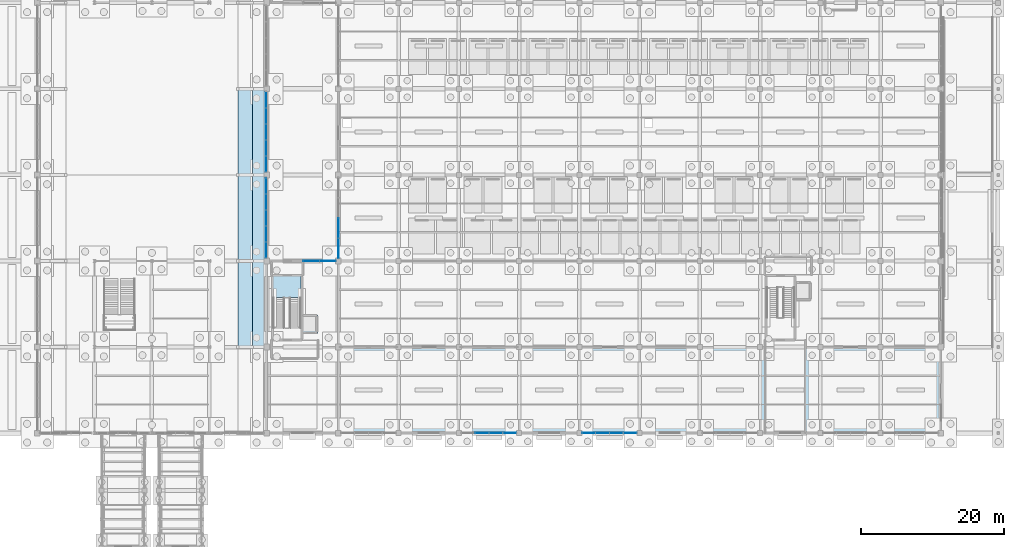
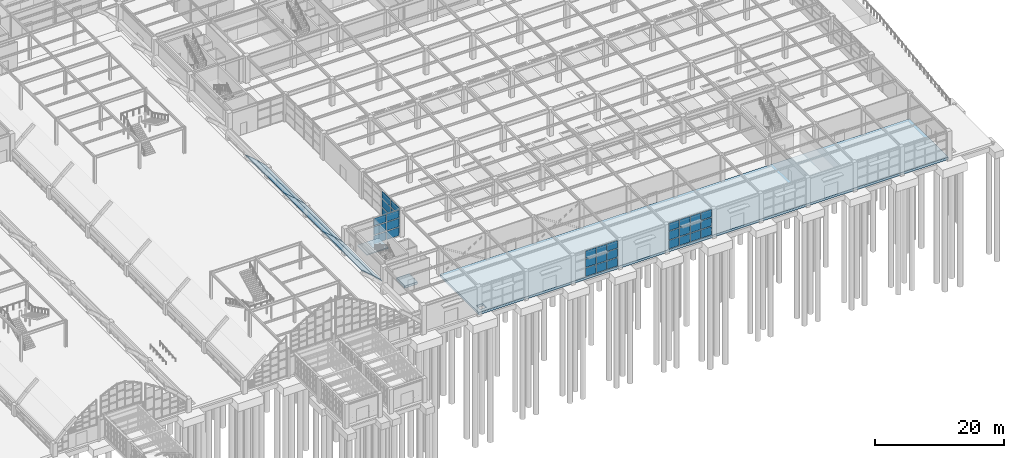
# One storey, part 86 of 129: 52 plates, 9 slabs, 7 elements without a shape of their own.
"""IFC4 building model written with IfcOpenShell, lengths in metres."""

import ifcopenshell
import ifcopenshell.guid

model = None  # the IFC model being written
_history = None  # IfcOwnerHistory: only IFC2X3 demands one
_inside = {}  # id of a spatial element -> (the spatial element, [elements in it])
_under = {}  # id of a project, library or spatial element -> (it, [spatial elements below it])
_declared = {}  # id of a project -> (the project, [libraries it declares])
_typed = {}  # id of a type object -> (the type object, [elements of that type])
_made_of = {}  # id of a material, layer set ... -> (it, [elements and type objects made of it])


def new_model(schema):
    """Start an empty IFC model of exactly this schema.

    Asked for "IFC4X3", IfcOpenShell would pick the latest addendum, in which some entities
    have other attributes; the version numbers below select the first issue.
    IFC2X3 requires an IfcOwnerHistory on every rooted entity: one is made here for all.
    """
    global model, _history
    if schema == "IFC4X3":
        model = ifcopenshell.file(schema_version=(4, 3, 0, 0))
    else:
        model = ifcopenshell.file(schema=schema)
    _inside.clear()
    _under.clear()
    _declared.clear()
    _typed.clear()
    _made_of.clear()
    _history = None
    if model.schema == "IFC2X3":
        org = make("IfcOrganization", Name="unknown")
        user = make(
            "IfcPersonAndOrganization",
            ThePerson=make("IfcPerson", FamilyName="unknown"),
            TheOrganization=org,
        )
        app = make(
            "IfcApplication",
            ApplicationDeveloper=org,
            Version="unknown",
            ApplicationFullName="unknown",
            ApplicationIdentifier="unknown",
        )
        _history = make(
            "IfcOwnerHistory",
            OwningUser=user,
            OwningApplication=app,
            ChangeAction="ADDED",
            CreationDate=0,
        )
    return model


def make(cls, **values):
    """One entity of the class cls with the attributes given. An attribute that is None is left unset."""
    return model.create_entity(
        cls, **{name: value for name, value in values.items() if value is not None}
    )


def rooted(cls, **values):
    """An entity with a GlobalId (a new one), such as an element, a storey or a relation."""
    return make(cls, GlobalId=ifcopenshell.guid.new(), OwnerHistory=_history, **values)


def si_unit(unit_type, name, prefix=None):
    """IfcSIUnit, for example si_unit("LENGTHUNIT", "METRE", prefix="MILLI")."""
    return make("IfcSIUnit", UnitType=unit_type, Prefix=prefix, Name=name)


def assignment(units):
    """IfcUnitAssignment: the units of a project."""
    return None if units is None else make("IfcUnitAssignment", Units=units)


def point(xyz):
    """IfcCartesianPoint."""
    return None if xyz is None else make("IfcCartesianPoint", Coordinates=xyz)


def direction(xyz):
    """IfcDirection."""
    return None if xyz is None else make("IfcDirection", DirectionRatios=xyz)


def frame(location, z_axis=None, x_axis=None):
    """IfcAxis2Placement3D, a coordinate frame: its origin and axes. An axis left out is left unset."""
    return make(
        "IfcAxis2Placement3D",
        Location=point(location),
        Axis=direction(z_axis),
        RefDirection=direction(x_axis),
    )


def frame_2d(location, x_axis=None):
    """IfcAxis2Placement2D, a coordinate frame in the plane: its origin and x axis."""
    return make(
        "IfcAxis2Placement2D", Location=point(location), RefDirection=direction(x_axis)
    )


def origin():
    """The frame at (0, 0, 0) with its axes left unset."""
    return frame((0.0, 0.0, 0.0))


def origin_2d():
    """The frame at (0, 0) in the plane with its x axis left unset."""
    return frame_2d((0.0, 0.0))


def place(relative_to, where):
    """IfcLocalPlacement: puts the frame where relative to a parent placement (None: the world)."""
    return make(
        "IfcLocalPlacement", PlacementRelTo=relative_to, RelativePlacement=where
    )


def context(
    kind, dimensions, precision=None, world=None, true_north=None, identifier=None
):
    """IfcGeometricRepresentationContext, for example the 3D "Model" context."""
    return make(
        "IfcGeometricRepresentationContext",
        ContextIdentifier=identifier,
        ContextType=kind,
        CoordinateSpaceDimension=dimensions,
        Precision=precision,
        WorldCoordinateSystem=world,
        TrueNorth=true_north,
    )


def subcontext(parent, identifier, kind, view, scale=None):
    """IfcGeometricRepresentationSubContext, for example "Body" below "Model"."""
    return make(
        "IfcGeometricRepresentationSubContext",
        ContextIdentifier=identifier,
        ContextType=kind,
        ParentContext=parent,
        TargetScale=scale,
        TargetView=view,
    )


def project(units=None, contexts=None):
    """IfcProject with its units and contexts."""
    return rooted(
        "IfcProject",
        Name="project",
        RepresentationContexts=contexts,
        UnitsInContext=assignment(units),
    )


def spatial(cls, under=None, at=None, **own):
    """A site, building, storey or space (cls), placed at a placement, below another one or the project."""
    s = rooted(cls, ObjectPlacement=at, **own)
    if under is not None:
        _under.setdefault(under.id(), (under, []))[1].append(s)
    return s


def polyline(points):
    """IfcPolyline through the points."""
    return make("IfcPolyline", Points=[point(p) for p in points])


def profile(cls, at=None, kind="AREA", **sizes):
    """A parametric profile (cls). Its sizes go by their IFC names, for example OverallWidth=200.0."""
    return make(cls, ProfileType=kind, Position=at, **sizes)


def rectangle(**sizes):
    """IfcRectangleProfileDef."""
    return profile("IfcRectangleProfileDef", **sizes)


def outline(outer, holes=None, kind="AREA"):
    """IfcArbitraryClosedProfileDef: a profile drawn as a closed curve; with holes, ...WithVoids."""
    if holes is None:
        return make("IfcArbitraryClosedProfileDef", ProfileType=kind, OuterCurve=outer)
    return make(
        "IfcArbitraryProfileDefWithVoids",
        ProfileType=kind,
        OuterCurve=outer,
        InnerCurves=holes,
    )


def extrude(swept, where, along, depth):
    """IfcExtrudedAreaSolid: the profile swept, set in the frame where, extruded along a direction by depth."""
    return make(
        "IfcExtrudedAreaSolid",
        SweptArea=swept,
        Position=where,
        ExtrudedDirection=direction(along),
        Depth=depth,
    )


def shape(context_of_items, identifier, shape_type, items):
    """IfcShapeRepresentation: the items that make up one representation, for example the "Body"."""
    return make(
        "IfcShapeRepresentation",
        ContextOfItems=context_of_items,
        RepresentationIdentifier=identifier,
        RepresentationType=shape_type,
        Items=items,
    )


def material(Name=None, Category=None):
    """IfcMaterial."""
    return make("IfcMaterial", Name=Name, Category=Category)


def layer(
    of_material, thickness, ventilated=None, Name=None, Category=None, Priority=None
):
    """IfcMaterialLayer: one layer of a wall or slab, of a material (None: an air gap)."""
    return make(
        "IfcMaterialLayer",
        Material=of_material,
        LayerThickness=thickness,
        IsVentilated=ventilated,
        Name=Name,
        Category=Category,
        Priority=Priority,
    )


def layer_set(layers, Name=None):
    """IfcMaterialLayerSet."""
    return make("IfcMaterialLayerSet", MaterialLayers=layers, LayerSetName=Name)


def made_of(thing, what):
    """Note that an element or type object is made of a material, layer set ...; save() writes the relation."""
    if what is not None:
        _made_of.setdefault(what.id(), (what, []))[1].append(thing)
    return thing


def type_object(cls, material=None, **own):
    """A type object (cls), such as IfcWallType, which elements share."""
    return made_of(rooted(cls, **own), material)


def element(
    cls,
    number,
    at=None,
    inside=None,
    cuts=None,
    type_object=None,
    material=None,
    context=None,
    identifier="Body",
    shape_type=None,
    held_by="IfcProductDefinitionShape",
    body=None,
    shapes=None,
    **own,
):
    """One element of the class cls, such as IfcWall. Its Tag is "e" and its number.

    at: its placement. inside: the storey or other place that contains it. cuts: it is an
    opening in that element (IfcRelVoidsElement). A single representation is given by context,
    identifier, shape_type and body (its items); several are given by shapes. held_by: the class
    of the entity that holds the representations. save() writes the other relations.
    """
    e = rooted(cls, Tag="e%d" % number, ObjectPlacement=at, **own)
    if body is not None:
        shapes = [shape(context, identifier, shape_type, body)]
    if shapes is not None:
        e.Representation = make(held_by, Representations=shapes)
    if inside is not None:
        _inside.setdefault(inside.id(), (inside, []))[1].append(e)
    if cuts is not None:
        rooted(
            "IfcRelVoidsElement", RelatingBuildingElement=cuts, RelatedOpeningElement=e
        )
    if type_object is not None:
        _typed.setdefault(type_object.id(), (type_object, []))[1].append(e)
    return made_of(e, material)


def aggregate(whole, parts):
    """IfcRelAggregates: a whole, such as a stair, and the parts it consists of."""
    return rooted("IfcRelAggregates", RelatingObject=whole, RelatedObjects=parts)


def save(model, path):
    """Write the relations noted so far, then the file.

    IfcRelAggregates (storeys below a building ...), IfcRelContainedInSpatialStructure (elements
    in a storey), IfcRelDefinesByType, IfcRelAssociatesMaterial and IfcRelDeclares: one each for
    every whole, place, type object, material and project.
    """
    for whole, parts in _under.values():
        aggregate(whole, parts)
    for where, things in _inside.values():
        rooted(
            "IfcRelContainedInSpatialStructure",
            RelatedElements=things,
            RelatingStructure=where,
        )
    for kind, things in _typed.values():
        rooted("IfcRelDefinesByType", RelatedObjects=things, RelatingType=kind)
    for what, things in _made_of.values():
        rooted("IfcRelAssociatesMaterial", RelatedObjects=things, RelatingMaterial=what)
    for by, libraries in _declared.values():
        rooted("IfcRelDeclares", RelatingContext=by, RelatedDefinitions=libraries)
    model.write(path)


model = new_model("IFC4")

# Units and contexts
model_context = context("Model", 3, precision=1e-05, world=origin(), true_north=direction((0.0, 1.0)))
body_context = subcontext(model_context, "Body", "Model", "MODEL_VIEW")
ifc_project = project(units=[si_unit("LENGTHUNIT", "METRE"), si_unit("AREAUNIT", "SQUARE_METRE"), si_unit("VOLUMEUNIT", "CUBIC_METRE"), si_unit("PLANEANGLEUNIT", "RADIAN"), si_unit("MASSUNIT", "GRAM", prefix="KILO")], contexts=[model_context])

# Site, building, storey
site_placement = place(None, origin())
site = spatial("IfcSite", under=ifc_project, at=site_placement, CompositionType="ELEMENT")
building_placement = place(site_placement, origin())
building = spatial("IfcBuilding", under=site, at=building_placement, Name="Sitalva Quay Ferry Terminal", CompositionType="ELEMENT")
storey_placement = place(building_placement, origin())
storey = spatial("IfcBuildingStorey", under=building, at=storey_placement, Name="L01", CompositionType="ELEMENT", Elevation=0.0)

# Curtain wall, plates
ifc_material_1 = material(Name="Anodised Aluminium & Low-E Glazing", Category="aluminium")
ifc_layer_1 = layer(ifc_material_1, 0.159912109375)
ifc_layer_set_1 = layer_set([ifc_layer_1], Name="Anodised Aluminium & Low-E Glazing")
curtain_wall_type_1 = type_object("IfcCurtainWallType", Name="CW_VaultArch_Glazed", PredefinedType="USERDEFINED", material=ifc_layer_set_1)
curtain_wall_1_placement = place(storey_placement, origin())
curtain_wall_1 = element("IfcCurtainWall", 1, at=curtain_wall_1_placement, inside=storey, type_object=curtain_wall_type_1, Name="V1-E shallow-arch base glazing (CW-L01-030)", ObjectType="CURTAIN_WALL", PredefinedType="USERDEFINED")
ifc_material_2 = material(Name="Clear Low-Iron Arch Glazing", Category="glass")
ifc_layer_2 = layer(ifc_material_2, 0.02587890625)
ifc_layer_set_2 = layer_set([ifc_layer_2], Name="Clear Low-Iron Arch Glazing")
plate_type_1 = type_object("IfcPlateType", Name="Panel_Arch_IGU_26", PredefinedType="CURTAIN_PANEL", material=ifc_layer_set_2)
plate_1_placement = place(storey_placement, frame((73.919921875, 31.52001953125, 0.155029296875), z_axis=(0.0, 0.0, 1.0), x_axis=(0.0, 1.0, 0.0)))
plate_1 = element("IfcPlate", 2, at=plate_1_placement, type_object=plate_type_1, Name="CW-L01-030-P0-0", PredefinedType="CURTAIN_PANEL", context=body_context, shape_type="SweptSolid", body=[
    extrude(rectangle(XDim=2.169921875, YDim=0.02587890625, at=origin_2d()), origin(), (0.0, 0.0, 1.0), 0.544921875),
])
plate_2_placement = place(storey_placement, frame((73.919921875, 31.52001953125, 0.85498046875), z_axis=(0.0, 0.0, 1.0), x_axis=(0.0, 1.0, 0.0)))
plate_2 = element("IfcPlate", 3, at=plate_2_placement, type_object=plate_type_1, Name="CW-L01-030-P0-1", PredefinedType="CURTAIN_PANEL", context=body_context, shape_type="SweptSolid", body=[
    extrude(rectangle(XDim=2.169921875, YDim=0.02587890625, at=origin_2d()), origin(), (0.0, 0.0, 1.0), 0.389892578125),
])
plate_3_placement = place(storey_placement, frame((73.919921875, 33.760009765625, 0.1552734375), z_axis=(0.0, 0.0, 1.0), x_axis=(0.0, 1.0, 0.0)))
plate_3 = element("IfcPlate", 4, at=plate_3_placement, type_object=plate_type_1, Name="CW-L01-030-P1-0", PredefinedType="CURTAIN_PANEL", context=body_context, shape_type="SweptSolid", body=[
    extrude(rectangle(XDim=2.169921875, YDim=0.02587890625, at=origin_2d()), origin(), (0.0, 0.0, 1.0), 0.698486328125),
])
plate_4_placement = place(storey_placement, frame((73.919921875, 33.760009765625, 1.0087890625), z_axis=(0.0, 0.0, 1.0), x_axis=(0.0, 1.0, 0.0)))
plate_4 = element("IfcPlate", 5, at=plate_4_placement, type_object=plate_type_1, Name="CW-L01-030-P1-1", PredefinedType="CURTAIN_PANEL", context=body_context, shape_type="SweptSolid", body=[
    extrude(rectangle(XDim=2.169921875, YDim=0.02587890625, at=origin_2d()), origin(), (0.0, 0.0, 1.0), 0.543701171875),
])
plate_5_placement = place(storey_placement, frame((73.919921875, 36.0, 0.155029296875), z_axis=(0.0, 0.0, 1.0), x_axis=(0.0, 1.0, 0.0)))
plate_5 = element("IfcPlate", 6, at=plate_5_placement, type_object=plate_type_1, Name="CW-L01-030-P2-0", PredefinedType="CURTAIN_PANEL", context=body_context, shape_type="SweptSolid", body=[
    extrude(rectangle(XDim=2.169921875, YDim=0.02587890625, at=origin_2d()), origin(), (0.0, 0.0, 1.0), 0.775390625),
])
plate_6_placement = place(storey_placement, frame((73.919921875, 36.0, 1.08544921875), z_axis=(0.0, 0.0, 1.0), x_axis=(0.0, 1.0, 0.0)))
plate_6 = element("IfcPlate", 7, at=plate_6_placement, type_object=plate_type_1, Name="CW-L01-030-P2-1", PredefinedType="CURTAIN_PANEL", context=body_context, shape_type="SweptSolid", body=[
    extrude(rectangle(XDim=2.169921875, YDim=0.02587890625, at=origin_2d()), origin(), (0.0, 0.0, 1.0), 0.620361328125),
])
plate_7_placement = place(storey_placement, frame((73.919921875, 38.239990234375, 0.1552734375), z_axis=(0.0, 0.0, 1.0), x_axis=(0.0, 1.0, 0.0)))
plate_7 = element("IfcPlate", 8, at=plate_7_placement, type_object=plate_type_1, Name="CW-L01-030-P3-0", PredefinedType="CURTAIN_PANEL", context=body_context, shape_type="SweptSolid", body=[
    extrude(rectangle(XDim=2.169921875, YDim=0.02587890625, at=origin_2d()), origin(), (0.0, 0.0, 1.0), 0.698486328125),
])
plate_8_placement = place(storey_placement, frame((73.919921875, 38.239990234375, 1.0087890625), z_axis=(0.0, 0.0, 1.0), x_axis=(0.0, 1.0, 0.0)))
plate_8 = element("IfcPlate", 9, at=plate_8_placement, type_object=plate_type_1, Name="CW-L01-030-P3-1", PredefinedType="CURTAIN_PANEL", context=body_context, shape_type="SweptSolid", body=[
    extrude(rectangle(XDim=2.169921875, YDim=0.02587890625, at=origin_2d()), origin(), (0.0, 0.0, 1.0), 0.543701171875),
])
plate_9_placement = place(storey_placement, frame((73.919921875, 40.47998046875, 0.155029296875), z_axis=(0.0, 0.0, 1.0), x_axis=(0.0, 1.0, 0.0)))
plate_9 = element("IfcPlate", 10, at=plate_9_placement, type_object=plate_type_1, Name="CW-L01-030-P4-0", PredefinedType="CURTAIN_PANEL", context=body_context, shape_type="SweptSolid", body=[
    extrude(rectangle(XDim=2.169921875, YDim=0.02587890625, at=origin_2d()), origin(), (0.0, 0.0, 1.0), 0.544921875),
])
plate_10_placement = place(storey_placement, frame((73.919921875, 40.47998046875, 0.85498046875), z_axis=(0.0, 0.0, 1.0), x_axis=(0.0, 1.0, 0.0)))
plate_10 = element("IfcPlate", 11, at=plate_10_placement, type_object=plate_type_1, Name="CW-L01-030-P4-1", PredefinedType="CURTAIN_PANEL", context=body_context, shape_type="SweptSolid", body=[
    extrude(rectangle(XDim=2.169921875, YDim=0.02587890625, at=origin_2d()), origin(), (0.0, 0.0, 1.0), 0.389892578125),
])
aggregate(curtain_wall_1, [plate_1, plate_2, plate_3, plate_4, plate_5, plate_6, plate_7, plate_8, plate_9, plate_10])

curtain_wall_2_placement = place(storey_placement, origin())
curtain_wall_2 = element("IfcCurtainWall", 12, at=curtain_wall_2_placement, inside=storey, type_object=curtain_wall_type_1, Name="V1-E shallow-arch base glazing (CW-L01-031)", ObjectType="CURTAIN_WALL", PredefinedType="USERDEFINED")
plate_11_placement = place(storey_placement, frame((73.919921875, 43.52001953125, 0.155029296875), z_axis=(0.0, 0.0, 1.0), x_axis=(0.0, 1.0, 0.0)))
plate_11 = element("IfcPlate", 13, at=plate_11_placement, type_object=plate_type_1, Name="CW-L01-031-P0-0", PredefinedType="CURTAIN_PANEL", context=body_context, shape_type="SweptSolid", body=[
    extrude(rectangle(XDim=2.169921875, YDim=0.02587890625, at=origin_2d()), origin(), (0.0, 0.0, 1.0), 0.544921875),
])
plate_12_placement = place(storey_placement, frame((73.919921875, 43.52001953125, 0.85498046875), z_axis=(0.0, 0.0, 1.0), x_axis=(0.0, 1.0, 0.0)))
plate_12 = element("IfcPlate", 14, at=plate_12_placement, type_object=plate_type_1, Name="CW-L01-031-P0-1", PredefinedType="CURTAIN_PANEL", context=body_context, shape_type="SweptSolid", body=[
    extrude(rectangle(XDim=2.169921875, YDim=0.02587890625, at=origin_2d()), origin(), (0.0, 0.0, 1.0), 0.389892578125),
])
plate_13_placement = place(storey_placement, frame((73.919921875, 45.760009765625, 0.1552734375), z_axis=(0.0, 0.0, 1.0), x_axis=(0.0, 1.0, 0.0)))
plate_13 = element("IfcPlate", 15, at=plate_13_placement, type_object=plate_type_1, Name="CW-L01-031-P1-0", PredefinedType="CURTAIN_PANEL", context=body_context, shape_type="SweptSolid", body=[
    extrude(rectangle(XDim=2.169921875, YDim=0.02587890625, at=origin_2d()), origin(), (0.0, 0.0, 1.0), 0.698486328125),
])
plate_14_placement = place(storey_placement, frame((73.919921875, 45.760009765625, 1.0087890625), z_axis=(0.0, 0.0, 1.0), x_axis=(0.0, 1.0, 0.0)))
plate_14 = element("IfcPlate", 16, at=plate_14_placement, type_object=plate_type_1, Name="CW-L01-031-P1-1", PredefinedType="CURTAIN_PANEL", context=body_context, shape_type="SweptSolid", body=[
    extrude(rectangle(XDim=2.169921875, YDim=0.02587890625, at=origin_2d()), origin(), (0.0, 0.0, 1.0), 0.543701171875),
])
plate_15_placement = place(storey_placement, frame((73.919921875, 48.0, 0.155029296875), z_axis=(0.0, 0.0, 1.0), x_axis=(0.0, 1.0, 0.0)))
plate_15 = element("IfcPlate", 17, at=plate_15_placement, type_object=plate_type_1, Name="CW-L01-031-P2-0", PredefinedType="CURTAIN_PANEL", context=body_context, shape_type="SweptSolid", body=[
    extrude(rectangle(XDim=2.169921875, YDim=0.02587890625, at=origin_2d()), origin(), (0.0, 0.0, 1.0), 0.775390625),
])
plate_16_placement = place(storey_placement, frame((73.919921875, 48.0, 1.08544921875), z_axis=(0.0, 0.0, 1.0), x_axis=(0.0, 1.0, 0.0)))
plate_16 = element("IfcPlate", 18, at=plate_16_placement, type_object=plate_type_1, Name="CW-L01-031-P2-1", PredefinedType="CURTAIN_PANEL", context=body_context, shape_type="SweptSolid", body=[
    extrude(rectangle(XDim=2.169921875, YDim=0.02587890625, at=origin_2d()), origin(), (0.0, 0.0, 1.0), 0.620361328125),
])
plate_17_placement = place(storey_placement, frame((73.919921875, 50.239990234375, 0.1552734375), z_axis=(0.0, 0.0, 1.0), x_axis=(0.0, 1.0, 0.0)))
plate_17 = element("IfcPlate", 19, at=plate_17_placement, type_object=plate_type_1, Name="CW-L01-031-P3-0", PredefinedType="CURTAIN_PANEL", context=body_context, shape_type="SweptSolid", body=[
    extrude(rectangle(XDim=2.169921875, YDim=0.02587890625, at=origin_2d()), origin(), (0.0, 0.0, 1.0), 0.698486328125),
])
plate_18_placement = place(storey_placement, frame((73.919921875, 50.239990234375, 1.0087890625), z_axis=(0.0, 0.0, 1.0), x_axis=(0.0, 1.0, 0.0)))
plate_18 = element("IfcPlate", 20, at=plate_18_placement, type_object=plate_type_1, Name="CW-L01-031-P3-1", PredefinedType="CURTAIN_PANEL", context=body_context, shape_type="SweptSolid", body=[
    extrude(rectangle(XDim=2.169921875, YDim=0.02587890625, at=origin_2d()), origin(), (0.0, 0.0, 1.0), 0.543701171875),
])
plate_19_placement = place(storey_placement, frame((73.919921875, 52.47998046875, 0.155029296875), z_axis=(0.0, 0.0, 1.0), x_axis=(0.0, 1.0, 0.0)))
plate_19 = element("IfcPlate", 21, at=plate_19_placement, type_object=plate_type_1, Name="CW-L01-031-P4-0", PredefinedType="CURTAIN_PANEL", context=body_context, shape_type="SweptSolid", body=[
    extrude(rectangle(XDim=2.169921875, YDim=0.02587890625, at=origin_2d()), origin(), (0.0, 0.0, 1.0), 0.544921875),
])
aggregate(curtain_wall_2, [plate_11, plate_12, plate_13, plate_14, plate_15, plate_16, plate_17, plate_18, plate_19])

ifc_material_3 = material(Name="Anodised Aluminium & Low-E Glazing", Category="aluminium")
ifc_layer_3 = layer(ifc_material_3, 0.159912109375)
ifc_layer_set_3 = layer_set([ifc_layer_3], Name="Anodised Aluminium & Low-E Glazing")
curtain_wall_type_2 = type_object("IfcCurtainWallType", Name="CW_Podium_Stick", PredefinedType="USERDEFINED", material=ifc_layer_set_3)
curtain_wall_3_placement = place(storey_placement, origin())
curtain_wall_3 = element("IfcCurtainWall", 22, at=curtain_wall_3_placement, inside=storey, type_object=curtain_wall_type_2, Name="L01 east monsoon court south glazing (CW-L01-074)", ObjectType="CURTAIN_WALL", PredefinedType="USERDEFINED")
ifc_material_4 = material(Name="Laminated Low-E Double Glazing", Category="glass")
ifc_layer_4 = layer(ifc_material_4, 0.028076171875)
ifc_layer_set_4 = layer_set([ifc_layer_4], Name="Laminated Low-E Double Glazing")
plate_type_2 = type_object("IfcPlateType", Name="Panel_LowE_IGU_28", PredefinedType="CURTAIN_PANEL", material=ifc_layer_set_4)
plate_20_placement = place(storey_placement, frame((80.199951171875, 30.0, 0.155029296875), z_axis=(0.0, 0.0, 1.0), x_axis=(1.0, 0.0, 0.0)))
plate_20 = element("IfcPlate", 23, at=plate_20_placement, type_object=plate_type_2, Name="CW-L01-074-P0-0", PredefinedType="CURTAIN_PANEL", context=body_context, shape_type="SweptSolid", body=[
    extrude(rectangle(XDim=2.22509765625, YDim=0.028076171875, at=origin_2d()), origin(), (0.0, 0.0, 1.0), 1.5517578125),
])
plate_21_placement = place(storey_placement, frame((80.199951171875, 30.0, 1.861572265625), z_axis=(0.0, 0.0, 1.0), x_axis=(1.0, 0.0, 0.0)))
plate_21 = element("IfcPlate", 24, at=plate_21_placement, type_object=plate_type_2, Name="CW-L01-074-P0-1", PredefinedType="CURTAIN_PANEL", context=body_context, shape_type="SweptSolid", body=[
    extrude(rectangle(XDim=2.22509765625, YDim=0.028076171875, at=origin_2d()), origin(), (0.0, 0.0, 1.0), 1.5517578125),
])
plate_22_placement = place(storey_placement, frame((80.199951171875, 30.0, 3.568359375), z_axis=(0.0, 0.0, 1.0), x_axis=(1.0, 0.0, 0.0)))
plate_22 = element("IfcPlate", 25, at=plate_22_placement, type_object=plate_type_2, Name="CW-L01-074-P0-2", PredefinedType="CURTAIN_PANEL", context=body_context, shape_type="SweptSolid", body=[
    extrude(rectangle(XDim=2.22509765625, YDim=0.028076171875, at=origin_2d()), origin(), (0.0, 0.0, 1.0), 1.396728515625),
])
plate_23_placement = place(storey_placement, frame((82.5, 30.0, 0.155029296875), z_axis=(0.0, 0.0, 1.0), x_axis=(1.0, 0.0, 0.0)))
plate_23 = element("IfcPlate", 26, at=plate_23_placement, type_object=plate_type_2, Name="CW-L01-074-P1-0", PredefinedType="CURTAIN_PANEL", context=body_context, shape_type="SweptSolid", body=[
    extrude(rectangle(XDim=2.22509765625, YDim=0.028076171875, at=origin_2d()), origin(), (0.0, 0.0, 1.0), 1.5517578125),
])
plate_24_placement = place(storey_placement, frame((82.5, 30.0, 1.861572265625), z_axis=(0.0, 0.0, 1.0), x_axis=(1.0, 0.0, 0.0)))
plate_24 = element("IfcPlate", 27, at=plate_24_placement, type_object=plate_type_2, Name="CW-L01-074-P1-1", PredefinedType="CURTAIN_PANEL", context=body_context, shape_type="SweptSolid", body=[
    extrude(rectangle(XDim=2.22509765625, YDim=0.028076171875, at=origin_2d()), origin(), (0.0, 0.0, 1.0), 1.5517578125),
])
plate_25_placement = place(storey_placement, frame((82.5, 30.0, 3.568359375), z_axis=(0.0, 0.0, 1.0), x_axis=(1.0, 0.0, 0.0)))
plate_25 = element("IfcPlate", 28, at=plate_25_placement, type_object=plate_type_2, Name="CW-L01-074-P1-2", PredefinedType="CURTAIN_PANEL", context=body_context, shape_type="SweptSolid", body=[
    extrude(rectangle(XDim=2.22509765625, YDim=0.028076171875, at=origin_2d()), origin(), (0.0, 0.0, 1.0), 1.396728515625),
])
aggregate(curtain_wall_3, [plate_20, plate_21, plate_22, plate_23, plate_24, plate_25])

ifc_material_5 = material(Name="Anodised Aluminium & Low-E Glazing", Category="aluminium")
ifc_layer_5 = layer(ifc_material_5, 0.159912109375)
ifc_layer_set_5 = layer_set([ifc_layer_5], Name="Anodised Aluminium & Low-E Glazing")
curtain_wall_type_3 = type_object("IfcCurtainWallType", Name="CW_Concourse_Unitised", PredefinedType="USERDEFINED", material=ifc_layer_set_5)
curtain_wall_4_placement = place(storey_placement, origin())
curtain_wall_4 = element("IfcCurtainWall", 29, at=curtain_wall_4_placement, inside=storey, type_object=curtain_wall_type_3, Name="South-east quay concourse curtain wall (CW-L01-061)", ObjectType="CURTAIN_WALL", PredefinedType="USERDEFINED")
ifc_material_6 = material(Name="Acoustic Laminated Marine Glazing", Category="glass")
ifc_layer_6 = layer(ifc_material_6, 0.033935546875)
ifc_layer_set_6 = layer_set([ifc_layer_6], Name="Acoustic Laminated Marine Glazing")
plate_type_3 = type_object("IfcPlateType", Name="Panel_Marine_IGU_34", PredefinedType="CURTAIN_PANEL", material=ifc_layer_set_6)
plate_26_placement = place(storey_placement, frame((104.03759765625, 6.0, 1.856689453125), z_axis=(0.0, 0.0, 1.0), x_axis=(1.0, 0.0, 0.0)))
plate_26 = element("IfcPlate", 30, at=plate_26_placement, type_object=plate_type_3, Name="CW-L01-061-P1-1", PredefinedType="CURTAIN_PANEL", context=body_context, shape_type="SweptSolid", body=[
    extrude(rectangle(XDim=1.840087890625, YDim=0.033935546875, at=origin_2d()), origin(), (0.0, 0.0, 1.0), 1.556640625),
])
plate_27_placement = place(storey_placement, frame((104.03759765625, 6.0, 3.563232421875), z_axis=(0.0, 0.0, 1.0), x_axis=(1.0, 0.0, 0.0)))
plate_27 = element("IfcPlate", 31, at=plate_27_placement, type_object=plate_type_3, Name="CW-L01-061-P1-2", PredefinedType="CURTAIN_PANEL", context=body_context, shape_type="SweptSolid", body=[
    extrude(rectangle(XDim=1.840087890625, YDim=0.033935546875, at=origin_2d()), origin(), (0.0, 0.0, 1.0), 1.40673828125),
])
plate_28_placement = place(storey_placement, frame((105.96240234375, 6.0, 1.856689453125), z_axis=(0.0, 0.0, 1.0), x_axis=(1.0, 0.0, 0.0)))
plate_28 = element("IfcPlate", 32, at=plate_28_placement, type_object=plate_type_3, Name="CW-L01-061-P2-1", PredefinedType="CURTAIN_PANEL", context=body_context, shape_type="SweptSolid", body=[
    extrude(rectangle(XDim=1.840087890625, YDim=0.033935546875, at=origin_2d()), origin(), (0.0, 0.0, 1.0), 1.556640625),
])
plate_29_placement = place(storey_placement, frame((105.96240234375, 6.0, 3.563232421875), z_axis=(0.0, 0.0, 1.0), x_axis=(1.0, 0.0, 0.0)))
plate_29 = element("IfcPlate", 33, at=plate_29_placement, type_object=plate_type_3, Name="CW-L01-061-P2-2", PredefinedType="CURTAIN_PANEL", context=body_context, shape_type="SweptSolid", body=[
    extrude(rectangle(XDim=1.840087890625, YDim=0.033935546875, at=origin_2d()), origin(), (0.0, 0.0, 1.0), 1.40673828125),
])
plate_30_placement = place(storey_placement, frame((107.887451171875, 6.0, 1.856689453125), z_axis=(0.0, 0.0, 1.0), x_axis=(1.0, 0.0, 0.0)))
plate_30 = element("IfcPlate", 34, at=plate_30_placement, type_object=plate_type_3, Name="CW-L01-061-P3-1", PredefinedType="CURTAIN_PANEL", context=body_context, shape_type="SweptSolid", body=[
    extrude(rectangle(XDim=1.840087890625, YDim=0.033935546875, at=origin_2d()), origin(), (0.0, 0.0, 1.0), 1.556640625),
])
plate_31_placement = place(storey_placement, frame((107.887451171875, 6.0, 3.563232421875), z_axis=(0.0, 0.0, 1.0), x_axis=(1.0, 0.0, 0.0)))
plate_31 = element("IfcPlate", 35, at=plate_31_placement, type_object=plate_type_3, Name="CW-L01-061-P3-2", PredefinedType="CURTAIN_PANEL", context=body_context, shape_type="SweptSolid", body=[
    extrude(rectangle(XDim=1.840087890625, YDim=0.033935546875, at=origin_2d()), origin(), (0.0, 0.0, 1.0), 1.40673828125),
])

curtain_wall_5_placement = place(storey_placement, origin())
curtain_wall_5 = element("IfcCurtainWall", 36, at=curtain_wall_5_placement, inside=storey, type_object=curtain_wall_type_3, Name="South-east quay concourse curtain wall (CW-L01-064)", ObjectType="CURTAIN_WALL", PredefinedType="USERDEFINED")
plate_32_placement = place(storey_placement, frame((118.91259765625, 6.0, 1.856689453125), z_axis=(0.0, 0.0, 1.0), x_axis=(1.0, 0.0, 0.0)))
plate_32 = element("IfcPlate", 37, at=plate_32_placement, type_object=plate_type_3, Name="CW-L01-064-P0-1", PredefinedType="CURTAIN_PANEL", context=body_context, shape_type="SweptSolid", body=[
    extrude(rectangle(XDim=1.840087890625, YDim=0.033935546875, at=origin_2d()), origin(), (0.0, 0.0, 1.0), 1.556640625),
])
plate_33_placement = place(storey_placement, frame((118.91259765625, 6.0, 3.563232421875), z_axis=(0.0, 0.0, 1.0), x_axis=(1.0, 0.0, 0.0)))
plate_33 = element("IfcPlate", 38, at=plate_33_placement, type_object=plate_type_3, Name="CW-L01-064-P0-2", PredefinedType="CURTAIN_PANEL", context=body_context, shape_type="SweptSolid", body=[
    extrude(rectangle(XDim=1.840087890625, YDim=0.033935546875, at=origin_2d()), origin(), (0.0, 0.0, 1.0), 1.40673828125),
])
plate_34_placement = place(storey_placement, frame((120.83740234375, 6.0, 1.856689453125), z_axis=(0.0, 0.0, 1.0), x_axis=(1.0, 0.0, 0.0)))
plate_34 = element("IfcPlate", 39, at=plate_34_placement, type_object=plate_type_3, Name="CW-L01-064-P1-1", PredefinedType="CURTAIN_PANEL", context=body_context, shape_type="SweptSolid", body=[
    extrude(rectangle(XDim=1.840087890625, YDim=0.033935546875, at=origin_2d()), origin(), (0.0, 0.0, 1.0), 1.556640625),
])
plate_35_placement = place(storey_placement, frame((120.83740234375, 6.0, 3.563232421875), z_axis=(0.0, 0.0, 1.0), x_axis=(1.0, 0.0, 0.0)))
plate_35 = element("IfcPlate", 40, at=plate_35_placement, type_object=plate_type_3, Name="CW-L01-064-P1-2", PredefinedType="CURTAIN_PANEL", context=body_context, shape_type="SweptSolid", body=[
    extrude(rectangle(XDim=1.840087890625, YDim=0.033935546875, at=origin_2d()), origin(), (0.0, 0.0, 1.0), 1.40673828125),
])
plate_36_placement = place(storey_placement, frame((122.762451171875, 6.0, 1.856689453125), z_axis=(0.0, 0.0, 1.0), x_axis=(1.0, 0.0, 0.0)))
plate_36 = element("IfcPlate", 41, at=plate_36_placement, type_object=plate_type_3, Name="CW-L01-064-P2-1", PredefinedType="CURTAIN_PANEL", context=body_context, shape_type="SweptSolid", body=[
    extrude(rectangle(XDim=1.840087890625, YDim=0.033935546875, at=origin_2d()), origin(), (0.0, 0.0, 1.0), 1.556640625),
])
plate_37_placement = place(storey_placement, frame((122.762451171875, 6.0, 3.563232421875), z_axis=(0.0, 0.0, 1.0), x_axis=(1.0, 0.0, 0.0)))
plate_37 = element("IfcPlate", 42, at=plate_37_placement, type_object=plate_type_3, Name="CW-L01-064-P2-2", PredefinedType="CURTAIN_PANEL", context=body_context, shape_type="SweptSolid", body=[
    extrude(rectangle(XDim=1.840087890625, YDim=0.033935546875, at=origin_2d()), origin(), (0.0, 0.0, 1.0), 1.40673828125),
])
plate_38_placement = place(storey_placement, frame((124.6875, 6.0, 1.856689453125), z_axis=(0.0, 0.0, 1.0), x_axis=(1.0, 0.0, 0.0)))
plate_38 = element("IfcPlate", 43, at=plate_38_placement, type_object=plate_type_3, Name="CW-L01-064-P3-1", PredefinedType="CURTAIN_PANEL", context=body_context, shape_type="SweptSolid", body=[
    extrude(rectangle(XDim=1.840087890625, YDim=0.033935546875, at=origin_2d()), origin(), (0.0, 0.0, 1.0), 1.556640625),
])
plate_39_placement = place(storey_placement, frame((124.6875, 6.0, 3.563232421875), z_axis=(0.0, 0.0, 1.0), x_axis=(1.0, 0.0, 0.0)))
plate_39 = element("IfcPlate", 44, at=plate_39_placement, type_object=plate_type_3, Name="CW-L01-064-P3-2", PredefinedType="CURTAIN_PANEL", context=body_context, shape_type="SweptSolid", body=[
    extrude(rectangle(XDim=1.840087890625, YDim=0.033935546875, at=origin_2d()), origin(), (0.0, 0.0, 1.0), 1.40673828125),
])

# Plate
ifc_material_7 = material(Name="Insulated Spandrel Cassette", Category="aluminium")
ifc_layer_7 = layer(ifc_material_7, 0.0400390625)
ifc_layer_set_7 = layer_set([ifc_layer_7], Name="Insulated Spandrel Cassette")
plate_type_4 = type_object("IfcPlateType", Name="Panel_Spandrel_Alu_40", PredefinedType="CURTAIN_PANEL", material=ifc_layer_set_7)
plate_40_placement = place(storey_placement, frame((104.03759765625, 6.0, 0.14990234375), z_axis=(0.0, 0.0, 1.0), x_axis=(1.0, 0.0, 0.0)))
plate_40 = element("IfcPlate", 45, at=plate_40_placement, type_object=plate_type_4, Name="CW-L01-061-P1-0", PredefinedType="CURTAIN_PANEL", context=body_context, shape_type="SweptSolid", body=[
    extrude(rectangle(XDim=1.840087890625, YDim=0.0400390625, at=origin_2d()), origin(), (0.0, 0.0, 1.0), 1.556640625),
])

plate_41_placement = place(storey_placement, frame((105.96240234375, 6.0, 0.14990234375), z_axis=(0.0, 0.0, 1.0), x_axis=(1.0, 0.0, 0.0)))
plate_41 = element("IfcPlate", 46, at=plate_41_placement, type_object=plate_type_4, Name="CW-L01-061-P2-0", PredefinedType="CURTAIN_PANEL", context=body_context, shape_type="SweptSolid", body=[
    extrude(rectangle(XDim=1.840087890625, YDim=0.0400390625, at=origin_2d()), origin(), (0.0, 0.0, 1.0), 1.556640625),
])

plate_42_placement = place(storey_placement, frame((107.887451171875, 6.0, 0.14990234375), z_axis=(0.0, 0.0, 1.0), x_axis=(1.0, 0.0, 0.0)))
plate_42 = element("IfcPlate", 47, at=plate_42_placement, type_object=plate_type_4, Name="CW-L01-061-P3-0", PredefinedType="CURTAIN_PANEL", context=body_context, shape_type="SweptSolid", body=[
    extrude(rectangle(XDim=1.840087890625, YDim=0.0400390625, at=origin_2d()), origin(), (0.0, 0.0, 1.0), 1.556640625),
])

aggregate(curtain_wall_4, [plate_40, plate_26, plate_27, plate_41, plate_28, plate_29, plate_42, plate_30, plate_31])

plate_43_placement = place(storey_placement, frame((118.91259765625, 6.0, 0.14990234375), z_axis=(0.0, 0.0, 1.0), x_axis=(1.0, 0.0, 0.0)))
plate_43 = element("IfcPlate", 48, at=plate_43_placement, type_object=plate_type_4, Name="CW-L01-064-P0-0", PredefinedType="CURTAIN_PANEL", context=body_context, shape_type="SweptSolid", body=[
    extrude(rectangle(XDim=1.840087890625, YDim=0.0400390625, at=origin_2d()), origin(), (0.0, 0.0, 1.0), 1.556640625),
])

plate_44_placement = place(storey_placement, frame((120.83740234375, 6.0, 0.14990234375), z_axis=(0.0, 0.0, 1.0), x_axis=(1.0, 0.0, 0.0)))
plate_44 = element("IfcPlate", 49, at=plate_44_placement, type_object=plate_type_4, Name="CW-L01-064-P1-0", PredefinedType="CURTAIN_PANEL", context=body_context, shape_type="SweptSolid", body=[
    extrude(rectangle(XDim=1.840087890625, YDim=0.0400390625, at=origin_2d()), origin(), (0.0, 0.0, 1.0), 1.556640625),
])

plate_45_placement = place(storey_placement, frame((122.762451171875, 6.0, 0.14990234375), z_axis=(0.0, 0.0, 1.0), x_axis=(1.0, 0.0, 0.0)))
plate_45 = element("IfcPlate", 50, at=plate_45_placement, type_object=plate_type_4, Name="CW-L01-064-P2-0", PredefinedType="CURTAIN_PANEL", context=body_context, shape_type="SweptSolid", body=[
    extrude(rectangle(XDim=1.840087890625, YDim=0.0400390625, at=origin_2d()), origin(), (0.0, 0.0, 1.0), 1.556640625),
])

plate_46_placement = place(storey_placement, frame((124.6875, 6.0, 0.14990234375), z_axis=(0.0, 0.0, 1.0), x_axis=(1.0, 0.0, 0.0)))
plate_46 = element("IfcPlate", 51, at=plate_46_placement, type_object=plate_type_4, Name="CW-L01-064-P3-0", PredefinedType="CURTAIN_PANEL", context=body_context, shape_type="SweptSolid", body=[
    extrude(rectangle(XDim=1.840087890625, YDim=0.0400390625, at=origin_2d()), origin(), (0.0, 0.0, 1.0), 1.556640625),
])

aggregate(curtain_wall_5, [plate_43, plate_32, plate_33, plate_44, plate_34, plate_35, plate_45, plate_36, plate_37, plate_46, plate_38, plate_39])

# Curtain wall, plates
ifc_material_8 = material(Name="Anodised Aluminium & Low-E Glazing", Category="aluminium")
ifc_layer_8 = layer(ifc_material_8, 0.159912109375)
ifc_layer_set_8 = layer_set([ifc_layer_8], Name="Anodised Aluminium & Low-E Glazing")
curtain_wall_type_4 = type_object("IfcCurtainWallType", Name="CW_Coastal_Louvred", PredefinedType="USERDEFINED", material=ifc_layer_set_8)
curtain_wall_6_placement = place(storey_placement, origin())
curtain_wall_6 = element("IfcCurtainWall", 52, at=curtain_wall_6_placement, inside=storey, type_object=curtain_wall_type_4, Name="L01 east court louvred wall (CW-L01-076)", ObjectType="CURTAIN_WALL", PredefinedType="USERDEFINED")
plate_47_placement = place(storey_placement, frame((84.0, 31.762451171875, 0.14990234375), z_axis=(0.0, 0.0, 1.0), x_axis=(0.0, 1.0, 0.0)))
plate_47 = element("IfcPlate", 53, at=plate_47_placement, type_object=plate_type_4, Name="CW-L01-076-P0-0", PredefinedType="CURTAIN_PANEL", context=body_context, shape_type="SweptSolid", body=[
    extrude(rectangle(XDim=2.7451171875, YDim=0.0400390625, at=origin_2d()), origin(), (0.0, 0.0, 1.0), 1.543212890625),
])
plate_48_placement = place(storey_placement, frame((84.0, 31.762451171875, 1.84326171875), z_axis=(0.0, 0.0, 1.0), x_axis=(0.0, 1.0, 0.0)))
plate_48 = element("IfcPlate", 54, at=plate_48_placement, type_object=plate_type_4, Name="CW-L01-076-P0-1", PredefinedType="CURTAIN_PANEL", context=body_context, shape_type="SweptSolid", body=[
    extrude(rectangle(XDim=2.7451171875, YDim=0.0400390625, at=origin_2d()), origin(), (0.0, 0.0, 1.0), 1.543212890625),
])
plate_49_placement = place(storey_placement, frame((84.0, 31.762451171875, 3.53662109375), z_axis=(0.0, 0.0, 1.0), x_axis=(0.0, 1.0, 0.0)))
plate_49 = element("IfcPlate", 55, at=plate_49_placement, type_object=plate_type_4, Name="CW-L01-076-P0-2", PredefinedType="CURTAIN_PANEL", context=body_context, shape_type="SweptSolid", body=[
    extrude(rectangle(XDim=2.7451171875, YDim=0.0400390625, at=origin_2d()), origin(), (0.0, 0.0, 1.0), 1.393310546875),
])
plate_50_placement = place(storey_placement, frame((84.0, 34.58740234375, 0.14990234375), z_axis=(0.0, 0.0, 1.0), x_axis=(0.0, 1.0, 0.0)))
plate_50 = element("IfcPlate", 56, at=plate_50_placement, type_object=plate_type_4, Name="CW-L01-076-P1-0", PredefinedType="CURTAIN_PANEL", context=body_context, shape_type="SweptSolid", body=[
    extrude(rectangle(XDim=2.7451171875, YDim=0.0400390625, at=origin_2d()), origin(), (0.0, 0.0, 1.0), 1.543212890625),
])
plate_51_placement = place(storey_placement, frame((84.0, 34.58740234375, 1.84326171875), z_axis=(0.0, 0.0, 1.0), x_axis=(0.0, 1.0, 0.0)))
plate_51 = element("IfcPlate", 57, at=plate_51_placement, type_object=plate_type_4, Name="CW-L01-076-P1-1", PredefinedType="CURTAIN_PANEL", context=body_context, shape_type="SweptSolid", body=[
    extrude(rectangle(XDim=2.7451171875, YDim=0.0400390625, at=origin_2d()), origin(), (0.0, 0.0, 1.0), 1.543212890625),
])
plate_52_placement = place(storey_placement, frame((84.0, 34.58740234375, 3.53662109375), z_axis=(0.0, 0.0, 1.0), x_axis=(0.0, 1.0, 0.0)))
plate_52 = element("IfcPlate", 58, at=plate_52_placement, type_object=plate_type_4, Name="CW-L01-076-P1-2", PredefinedType="CURTAIN_PANEL", context=body_context, shape_type="SweptSolid", body=[
    extrude(rectangle(XDim=2.7451171875, YDim=0.0400390625, at=origin_2d()), origin(), (0.0, 0.0, 1.0), 1.393310546875),
])
aggregate(curtain_wall_6, [plate_47, plate_48, plate_49, plate_50, plate_51, plate_52])

# Slabs
ifc_material_9 = material(Name="Concrete C35/45", Category="concrete")
ifc_layer_9 = layer(ifc_material_9, 0.419921875)
ifc_layer_set_9 = layer_set([ifc_layer_9], Name="Concrete C35/45")
slab_type_1 = type_object("IfcSlabType", Name="Slab_LiftPit_420", PredefinedType="BASESLAB", material=ifc_layer_set_9)
slab_1_placement = place(storey_placement, frame((0.0, 0.0, -2.02001953125)))
element("IfcSlab", 59, at=slab_1_placement, inside=storey, type_object=slab_type_1, Name="Lift LF-06 pit base slab", PredefinedType="BASESLAB", context=body_context, shape_type="SweptSolid", body=[
    extrude(outline(polyline([(78.800048828125, 19.89990234375), (81.10009765625, 19.89990234375), (81.10009765625, 22.5), (78.800048828125, 22.5), (78.800048828125, 19.89990234375)])), origin(), (0.0, 0.0, 1.0), 0.419921875),
])
ifc_material_10 = material(Name="Concrete C40/50", Category="concrete")
ifc_layer_10 = layer(ifc_material_10, 0.159912109375)
ifc_layer_set_10 = layer_set([ifc_layer_10], Name="Concrete C40/50")
slab_type_2 = type_object("IfcSlabType", Name="Slab_PointedVaultShell_160", PredefinedType="ROOF", material=ifc_layer_set_10)
slab_2_placement = place(storey_placement, frame((70.0, 18.0, 5.704833984375), z_axis=(0.649521624646, 0.0, 0.760343119334), x_axis=(0.760343119334, 0.0, -0.649521624646)))
element("IfcSlab", 60, at=slab_2_placement, inside=storey, type_object=slab_type_2, Name="Vault V1 pointed shell facet B2-F15", PredefinedType="ROOF", context=body_context, shape_type="SweptSolid", body=[
    extrude(outline(polyline([(0.0, 0.0), (2.630391397180087, 0.0), (2.630391397180087, 12.0), (0.0, 12.0), (0.0, 0.0)])), origin(), (0.649521624646, 0.0, -0.760343119334), 0.21044921875),
])
slab_3_placement = place(storey_placement, frame((72.0, 18.0, 3.996337890625), z_axis=(0.688047902254, 0.0, 0.725665270082), x_axis=(0.725665270082, 0.0, -0.688047902254)))
element("IfcSlab", 61, at=slab_3_placement, inside=storey, type_object=slab_type_2, Name="Vault V1 pointed shell facet B2-F16", PredefinedType="ROOF", context=body_context, shape_type="SweptSolid", body=[
    extrude(outline(polyline([(0.0, 0.0), (2.2325957356566075, 0.0), (2.2325957356566075, 12.0), (0.0, 12.0), (0.0, 0.0)])), origin(), (0.688047902254, 0.0, -0.725665270082), 0.220458984375),
])
slab_4_placement = place(storey_placement, frame((70.0, 30.0, 5.704833984375), z_axis=(0.649521624646, 0.0, 0.760343119334), x_axis=(0.760343119334, 0.0, -0.649521624646)))
element("IfcSlab", 62, at=slab_4_placement, inside=storey, type_object=slab_type_2, Name="Vault V1 pointed shell facet B3-F15", PredefinedType="ROOF", context=body_context, shape_type="SweptSolid", body=[
    extrude(outline(polyline([(0.0, 0.0), (2.630391397180087, 0.0), (2.630391397180087, 12.0), (0.0, 12.0), (0.0, 0.0)])), origin(), (0.649521624646, 0.0, -0.760343119334), 0.21044921875),
])
slab_5_placement = place(storey_placement, frame((72.0, 30.0, 3.996337890625), z_axis=(0.688047902254, 0.0, 0.725665270082), x_axis=(0.725665270082, 0.0, -0.688047902254)))
element("IfcSlab", 63, at=slab_5_placement, inside=storey, type_object=slab_type_2, Name="Vault V1 pointed shell facet B3-F16", PredefinedType="ROOF", context=body_context, shape_type="SweptSolid", body=[
    extrude(outline(polyline([(0.0, 0.0), (2.2325957356566075, 0.0), (2.2325957356566075, 12.0), (0.0, 12.0), (0.0, 0.0)])), origin(), (0.688047902254, 0.0, -0.725665270082), 0.220458984375),
])
slab_6_placement = place(storey_placement, frame((70.0, 42.0, 5.704833984375), z_axis=(0.649521624646, 0.0, 0.760343119334), x_axis=(0.760343119334, 0.0, -0.649521624646)))
element("IfcSlab", 64, at=slab_6_placement, inside=storey, type_object=slab_type_2, Name="Vault V1 pointed shell facet B4-F15", PredefinedType="ROOF", context=body_context, shape_type="SweptSolid", body=[
    extrude(outline(polyline([(0.0, 0.0), (2.630391397180087, 0.0), (2.630391397180087, 12.0), (0.0, 12.0), (0.0, 0.0)])), origin(), (0.649521624646, 0.0, -0.760343119334), 0.21044921875),
])
slab_7_placement = place(storey_placement, frame((72.0, 42.0, 3.996337890625), z_axis=(0.688047902254, 0.0, 0.725665270082), x_axis=(0.725665270082, 0.0, -0.688047902254)))
element("IfcSlab", 65, at=slab_7_placement, inside=storey, type_object=slab_type_2, Name="Vault V1 pointed shell facet B4-F16", PredefinedType="ROOF", context=body_context, shape_type="SweptSolid", body=[
    extrude(outline(polyline([(0.0, 0.0), (2.2325957356566075, 0.0), (2.2325957356566075, 12.0), (0.0, 12.0), (0.0, 0.0)])), origin(), (0.688047902254, 0.0, -0.725665270082), 0.220458984375),
])
ifc_material_11 = material(Name="Concrete C35/45", Category="concrete")
ifc_layer_11 = layer(ifc_material_11, 0.449951171875)
ifc_layer_set_11 = layer_set([ifc_layer_11], Name="Concrete C35/45")
slab_type_3 = type_object("IfcSlabType", Name="Slab_QuayBase_450", PredefinedType="BASESLAB", material=ifc_layer_set_11)
slab_8_placement = place(storey_placement, frame((0.0, 0.0, -0.449951171875)))
element("IfcSlab", 66, at=slab_8_placement, inside=storey, type_object=slab_type_3, Name="L01 South-east boarding concourse base 017", PredefinedType="BASESLAB", context=body_context, shape_type="SweptSolid", body=[
    extrude(outline(polyline([(84.0, 6.0), (168.0, 6.0), (168.0, 18.0), (84.0, 18.0), (84.0, 6.0)]), holes=[polyline([(84.64990234375, 6.64990234375), (84.64990234375, 7.800048828125), (85.800048828125, 7.800048828125), (85.800048828125, 6.64990234375), (84.64990234375, 6.64990234375)])]), origin(), (0.0, 0.0, 1.0), 0.449951171875),
])

# Stair, slab
ifc_material_12 = material(Name="Concrete C35/45", Category="concrete")
stair_type = type_object("IfcStairType", Name="Stair_CoreDogLeg_1400", PredefinedType="HALF_TURN_STAIR", material=ifc_material_12)
stair_placement = place(storey_placement, origin())
stair = element("IfcStair", 67, at=stair_placement, inside=storey, type_object=stair_type, Name="L01 Core C6 stair ST-06", PredefinedType="HALF_TURN_STAIR")
ifc_material_13 = material(Name="Concrete C35/45", Category="concrete")
ifc_layer_12 = layer(ifc_material_13, 0.199951171875)
ifc_layer_set_12 = layer_set([ifc_layer_12], Name="Concrete C35/45")
slab_type_4 = type_object("IfcSlabType", Name="Slab_StairLanding_200", PredefinedType="LANDING", material=ifc_layer_set_12)
slab_9_placement = place(storey_placement, frame((0.0, 0.0, 2.5)))
slab_9 = element("IfcSlab", 68, at=slab_9_placement, type_object=slab_type_4, Name="ST-06 landing 1", PredefinedType="LANDING", context=body_context, shape_type="SweptSolid", body=[
    extrude(outline(polyline([(78.780029296875, 24.8798828125), (78.780029296875, 27.8798828125), (74.919921875, 27.8798828125), (74.919921875, 24.8798828125), (78.780029296875, 24.8798828125)])), origin(), (0.0, 0.0, 1.0), 0.199951171875),
])
aggregate(stair, [slab_9])

save(model, "model.ifc")
